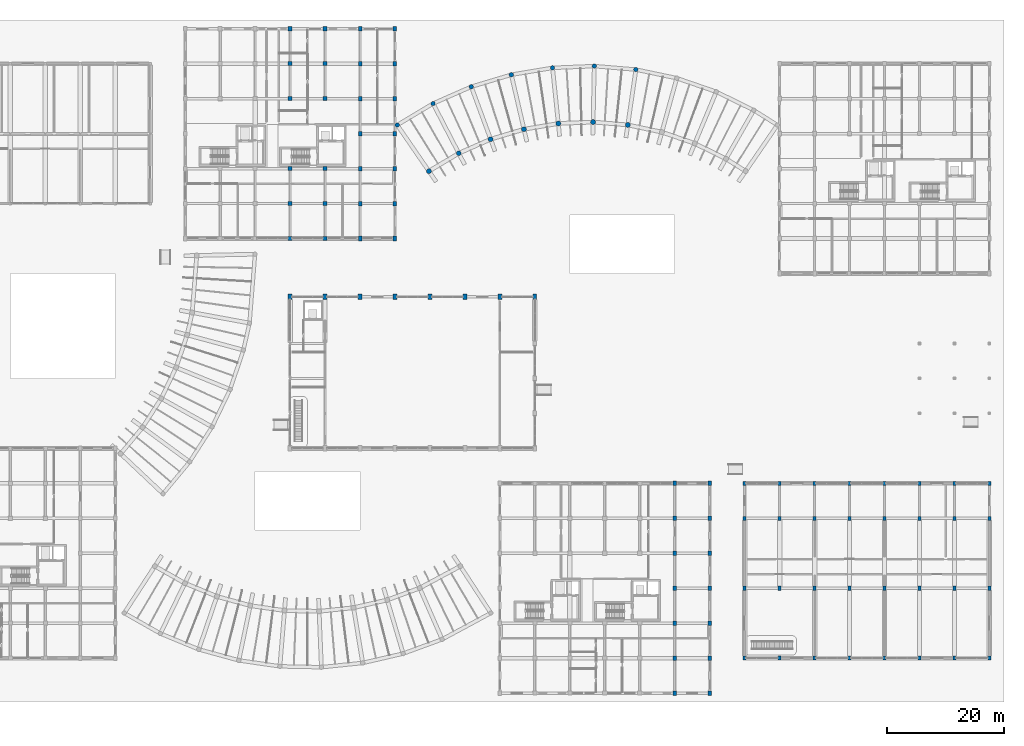
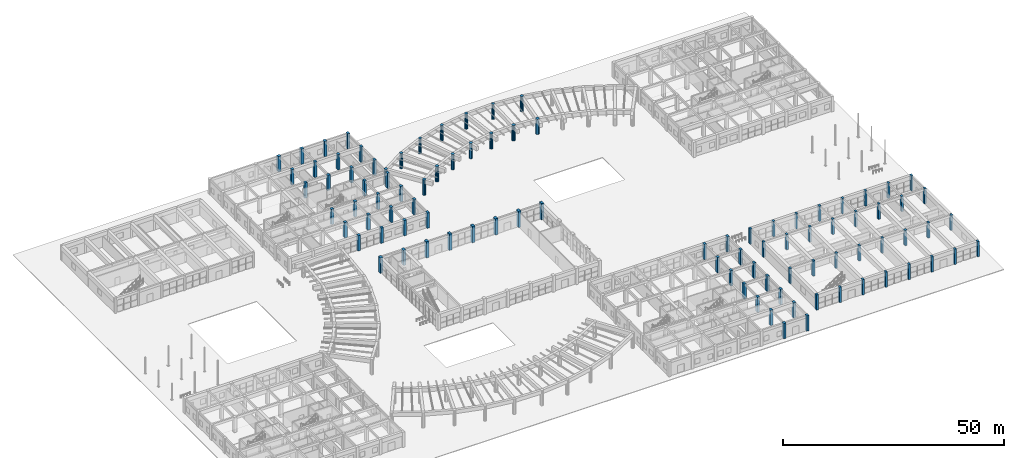
# One storey, part 8 of 76: 94 columns.
"""IFC4 building model written with IfcOpenShell, lengths in metres."""

from ifc_helpers import new_model, si_unit, direction, frame, origin, origin_2d, place, context, subcontext, project, spatial, rectangle, circle, extrude, material, material_profile, profile_set, type_object, element, save


model = new_model("IFC4")

# Units and contexts
model_context = context("Model", 3, precision=1e-05, world=origin(), true_north=direction((0.0, 1.0)))
body_context = subcontext(model_context, "Body", "Model", "MODEL_VIEW")
ifc_project = project(units=[si_unit("LENGTHUNIT", "METRE"), si_unit("AREAUNIT", "SQUARE_METRE"), si_unit("VOLUMEUNIT", "CUBIC_METRE"), si_unit("PLANEANGLEUNIT", "RADIAN"), si_unit("MASSUNIT", "GRAM", prefix="KILO"), si_unit("POWERUNIT", "WATT"), si_unit("THERMODYNAMICTEMPERATUREUNIT", "KELVIN")], contexts=[model_context])

# Site, building, storey
site_placement = place(None, origin())
site = spatial("IfcSite", under=ifc_project, at=site_placement, CompositionType="ELEMENT")
building_placement = place(site_placement, origin())
building = spatial("IfcBuilding", under=site, at=building_placement, Name="Ruvembo Vaulted Housing Court", CompositionType="ELEMENT")
storey_placement = place(building_placement, origin())
storey = spatial("IfcBuildingStorey", under=building, at=storey_placement, Name="L00", CompositionType="ELEMENT", Elevation=0.0)

# Columns
ifc_material_1 = material(Name="Concrete C35/45", Category="concrete")
ifc_material_profile_1 = material_profile(ifc_material_1, rectangle(XDim=0.5, YDim=0.699951171875, at=origin_2d()), Name="RC 500x700")
ifc_profile_set_1 = profile_set([ifc_material_profile_1], Name="Concrete C35/45")
column_type_1 = type_object("IfcColumnType", Name="COL-RC-500x700", PredefinedType="COLUMN", material=ifc_profile_set_1)
for number, where, z_axis, x_axis, name in (
    (1, (144.0, 6.0, 0.0), (0.0, 0.0, 1.0), (1.0, 0.0, 0.0), "L00 Column (144,6)"),
    (2, (144.0, 18.0, 0.0), (0.0, 0.0, 1.0), (1.0, 0.0, 0.0), "L00 Column (144,18)"),
    (3, (144.0, 30.0, 0.0), (0.0, 0.0, 1.0), (1.0, 0.0, 0.0), "L00 Column (144,30)"),
    (4, (144.0, 36.0, 0.0), (0.0, 0.0, 1.0), (1.0, 0.0, 0.0), "L00 Column (144,36)"),
    (5, (150.0, 6.0, 0.0), (0.0, 0.0, 1.0), (1.0, 0.0, 0.0), "L00 Column (150,6)"),
    (6, (150.0, 18.0, 0.0), (0.0, 0.0, 1.0), (1.0, 0.0, 0.0), "L00 Column (150,18)"),
    (7, (150.0, 30.0, 0.0), (0.0, 0.0, 1.0), (1.0, 0.0, 0.0), "L00 Column (150,30)"),
    (8, (150.0, 36.0, 0.0), (0.0, 0.0, 1.0), (1.0, 0.0, 0.0), "L00 Column (150,36)"),
    (9, (156.0, 6.0, 0.0), (0.0, 0.0, 1.0), (1.0, 0.0, 0.0), "L00 Column (156,6)"),
    (10, (156.0, 18.0, 0.0), (0.0, 0.0, 1.0), (1.0, 0.0, 0.0), "L00 Column (156,18)"),
    (11, (156.0, 30.0, 0.0), (0.0, 0.0, 1.0), (1.0, 0.0, 0.0), "L00 Column (156,30)"),
    (12, (156.0, 36.0, 0.0), (0.0, 0.0, 1.0), (1.0, 0.0, 0.0), "L00 Column (156,36)"),
    (13, (162.0, 6.0, 0.0), (0.0, 0.0, 1.0), (1.0, 0.0, 0.0), "L00 Column (162,6)"),
    (14, (162.0, 18.0, 0.0), (0.0, 0.0, 1.0), (1.0, 0.0, 0.0), "L00 Column (162,18)"),
    (15, (162.0, 30.0, 0.0), (0.0, 0.0, 1.0), (1.0, 0.0, 0.0), "L00 Column (162,30)"),
    (16, (162.0, 36.0, 0.0), (0.0, 0.0, 1.0), (1.0, 0.0, 0.0), "L00 Column (162,36)"),
    (17, (168.0, 6.0, 0.0), (0.0, 0.0, 1.0), (1.0, 0.0, 0.0), "L00 Column (168,6)"),
    (18, (168.0, 18.0, 0.0), (0.0, 0.0, 1.0), (1.0, 0.0, 0.0), "L00 Column (168,18)"),
    (19, (168.0, 30.0, 0.0), (0.0, 0.0, 1.0), (1.0, 0.0, 0.0), "L00 Column (168,30)"),
    (20, (168.0, 36.0, 0.0), (0.0, 0.0, 1.0), (1.0, 0.0, 0.0), "L00 Column (168,36)"),
    (21, (174.0, 6.0, 0.0), (0.0, 0.0, 1.0), (1.0, 0.0, 0.0), "L00 Column (174,6)"),
    (22, (174.0, 18.0, 0.0), (0.0, 0.0, 1.0), (1.0, 0.0, 0.0), "L00 Column (174,18)"),
    (23, (174.0, 30.0, 0.0), (0.0, 0.0, 1.0), (1.0, 0.0, 0.0), "L00 Column (174,30)"),
    (24, (174.0, 36.0, 0.0), (0.0, 0.0, 1.0), (1.0, 0.0, 0.0), "L00 Column (174,36)"),
    (25, (180.0, 6.0, 0.0), (0.0, 0.0, 1.0), (1.0, 0.0, 0.0), "L00 Column (180,6)"),
    (26, (180.0, 18.0, 0.0), (0.0, 0.0, 1.0), (1.0, 0.0, 0.0), "L00 Column (180,18)"),
    (27, (180.0, 30.0, 0.0), (0.0, 0.0, 1.0), (1.0, 0.0, 0.0), "L00 Column (180,30)"),
    (28, (180.0, 36.0, 0.0), (0.0, 0.0, 1.0), (1.0, 0.0, 0.0), "L00 Column (180,36)"),
    (29, (186.0, 6.0, 0.0), (0.0, 0.0, 1.0), (1.0, 0.0, 0.0), "L00 Column (186,6)"),
    (30, (186.0, 18.0, 0.0), (0.0, 0.0, 1.0), (1.0, 0.0, 0.0), "L00 Column (186,18)"),
    (31, (186.0, 30.0, 0.0), (0.0, 0.0, 1.0), (1.0, 0.0, 0.0), "L00 Column (186,30)"),
    (32, (186.0, 36.0, 0.0), (0.0, 0.0, 1.0), (1.0, 0.0, 0.0), "L00 Column (186,36)"),
):
    element("IfcColumn", number, at=place(storey_placement, frame(where, z_axis=z_axis, x_axis=x_axis)), inside=storey, type_object=column_type_1, Name=name, PredefinedType="COLUMN", context=body_context, shape_type="SweptSolid", body=[
        extrude(rectangle(XDim=0.5, YDim=0.699951171875, at=origin_2d()), origin(), (0.0, 0.0, 1.0), 4.22998046875),
    ])
ifc_material_2 = material(Name="Concrete C40/50", Category="concrete")
ifc_material_profile_2 = material_profile(ifc_material_2, rectangle(XDim=0.60009765625, YDim=0.800048828125, at=origin_2d()), Name="RC 600x800")
ifc_profile_set_2 = profile_set([ifc_material_profile_2], Name="Concrete C40/50")
column_type_2 = type_object("IfcColumnType", Name="COL-RC-600x800", PredefinedType="COLUMN", material=ifc_profile_set_2)
for number, where, z_axis, x_axis, name in (
    (33, (78.0, 78.0, 0.0), (0.0, 0.0, 1.0), (1.0, 0.0, 0.0), "L00 Column (78,78)"),
    (34, (78.0, 84.0, 0.0), (0.0, 0.0, 1.0), (1.0, 0.0, 0.0), "L00 Column (78,84)"),
    (35, (78.0, 90.0, 0.0), (0.0, 0.0, 1.0), (1.0, 0.0, 0.0), "L00 Column (78,90)"),
    (36, (78.0, 96.0, 0.0), (0.0, 0.0, 1.0), (1.0, 0.0, 0.0), "L00 Column (78,96)"),
    (37, (78.0, 102.0, 0.0), (0.0, 0.0, 1.0), (1.0, 0.0, 0.0), "L00 Column (78,102)"),
    (38, (78.0, 108.0, 0.0), (0.0, 0.0, 1.0), (1.0, 0.0, 0.0), "L00 Column (78,108)"),
    (39, (78.0, 114.0, 0.0), (0.0, 0.0, 1.0), (1.0, 0.0, 0.0), "L00 Column (78,114)"),
    (40, (84.0, 78.0, 0.0), (0.0, 0.0, 1.0), (1.0, 0.0, 0.0), "L00 Column (84,78)"),
    (41, (84.0, 84.0, 0.0), (0.0, 0.0, 1.0), (1.0, 0.0, 0.0), "L00 Column (84,84)"),
    (42, (84.0, 90.0, 0.0), (0.0, 0.0, 1.0), (1.0, 0.0, 0.0), "L00 Column (84,90)"),
    (43, (84.0, 96.0, 0.0), (0.0, 0.0, 1.0), (1.0, 0.0, 0.0), "L00 Column (84,96)"),
    (44, (84.0, 102.0, 0.0), (0.0, 0.0, 1.0), (1.0, 0.0, 0.0), "L00 Column (84,102)"),
    (45, (84.0, 108.0, 0.0), (0.0, 0.0, 1.0), (1.0, 0.0, 0.0), "L00 Column (84,108)"),
    (46, (84.0, 114.0, 0.0), (0.0, 0.0, 1.0), (1.0, 0.0, 0.0), "L00 Column (84,114)"),
    (47, (132.0, 0.0, 0.0), (0.0, 0.0, 1.0), (1.0, 0.0, 0.0), "L00 Column (132,0)"),
    (48, (132.0, 6.0, 0.0), (0.0, 0.0, 1.0), (1.0, 0.0, 0.0), "L00 Column (132,6)"),
    (49, (132.0, 12.0, 0.0), (0.0, 0.0, 1.0), (1.0, 0.0, 0.0), "L00 Column (132,12)"),
    (50, (132.0, 18.0, 0.0), (0.0, 0.0, 1.0), (1.0, 0.0, 0.0), "L00 Column (132,18)"),
    (51, (132.0, 24.0, 0.0), (0.0, 0.0, 1.0), (1.0, 0.0, 0.0), "L00 Column (132,24)"),
    (52, (132.0, 30.0, 0.0), (0.0, 0.0, 1.0), (1.0, 0.0, 0.0), "L00 Column (132,30)"),
    (53, (132.0, 36.0, 0.0), (0.0, 0.0, 1.0), (1.0, 0.0, 0.0), "L00 Column (132,36)"),
    (54, (138.0, 0.0, 0.0), (0.0, 0.0, 1.0), (1.0, 0.0, 0.0), "L00 Column (138,0)"),
    (55, (138.0, 6.0, 0.0), (0.0, 0.0, 1.0), (1.0, 0.0, 0.0), "L00 Column (138,6)"),
    (56, (138.0, 12.0, 0.0), (0.0, 0.0, 1.0), (1.0, 0.0, 0.0), "L00 Column (138,12)"),
    (57, (138.0, 18.0, 0.0), (0.0, 0.0, 1.0), (1.0, 0.0, 0.0), "L00 Column (138,18)"),
    (58, (138.0, 24.0, 0.0), (0.0, 0.0, 1.0), (1.0, 0.0, 0.0), "L00 Column (138,24)"),
    (59, (138.0, 30.0, 0.0), (0.0, 0.0, 1.0), (1.0, 0.0, 0.0), "L00 Column (138,30)"),
    (60, (138.0, 36.0, 0.0), (0.0, 0.0, 1.0), (1.0, 0.0, 0.0), "L00 Column (138,36)"),
):
    element("IfcColumn", number, at=place(storey_placement, frame(where, z_axis=z_axis, x_axis=x_axis)), inside=storey, type_object=column_type_2, Name=name, PredefinedType="COLUMN", context=body_context, shape_type="SweptSolid", body=[
        extrude(rectangle(XDim=0.60009765625, YDim=0.800048828125, at=origin_2d()), origin(), (0.0, 0.0, 1.0), 4.22998046875),
    ])
ifc_material_profile_3 = material_profile(ifc_material_2, rectangle(XDim=0.64990234375, YDim=0.89990234375, at=origin_2d()), Name="RC 650x900")
ifc_profile_set_3 = profile_set([ifc_material_profile_3], Name="Concrete C40/50")
column_type_3 = type_object("IfcColumnType", Name="COL-RC-650x900", PredefinedType="COLUMN", material=ifc_profile_set_3)
for number, where, z_axis, x_axis, name in (
    (61, (66.0, 68.0, 0.0), (0.0, 0.0, 1.0), (1.0, 0.0, 0.0), "L00 Column (66,68)"),
    (62, (72.0, 68.0, 0.0), (0.0, 0.0, 1.0), (1.0, 0.0, 0.0), "L00 Column (72,68)"),
):
    element("IfcColumn", number, at=place(storey_placement, frame(where, z_axis=z_axis, x_axis=x_axis)), inside=storey, type_object=column_type_3, Name=name, PredefinedType="COLUMN", context=body_context, shape_type="SweptSolid", body=[
        extrude(rectangle(XDim=0.64990234375, YDim=0.89990234375, at=origin_2d()), origin(), (0.0, 0.0, 1.0), 4.22998046875),
    ])
for number, where, z_axis, x_axis, name in (
    (63, (78.0, 68.0, 0.0), (0.0, 0.0, 1.0), (1.0, 0.0, 0.0), "L00 Column (78,68)"),
    (64, (84.0, 68.0, 0.0), (0.0, 0.0, 1.0), (1.0, 0.0, 0.0), "L00 Column (84,68)"),
    (65, (90.0, 68.0, 0.0), (0.0, 0.0, 1.0), (1.0, 0.0, 0.0), "L00 Column (90,68)"),
    (66, (96.0, 68.0, 0.0), (0.0, 0.0, 1.0), (1.0, 0.0, 0.0), "L00 Column (96,68)"),
    (67, (102.0, 68.0, 0.0), (0.0, 0.0, 1.0), (1.0, 0.0, 0.0), "L00 Column (102,68)"),
    (68, (108.0, 68.0, 0.0), (0.0, 0.0, 1.0), (1.0, 0.0, 0.0), "L00 Column (108,68)"),
):
    element("IfcColumn", number, at=place(storey_placement, frame(where, z_axis=z_axis, x_axis=x_axis)), inside=storey, type_object=column_type_3, Name=name, PredefinedType="COLUMN", context=body_context, shape_type="SweptSolid", body=[
        extrude(rectangle(XDim=0.64990234375, YDim=0.89990234375, at=origin_2d()), origin(), (0.0, 0.0, 1.0), 4.5),
    ])
ifc_material_profile_4 = material_profile(ifc_material_2, rectangle(XDim=0.699951171875, YDim=0.699951171875, at=origin_2d()), Name="RC 700x700")
ifc_profile_set_4 = profile_set([ifc_material_profile_4], Name="Concrete C40/50")
column_type_4 = type_object("IfcColumnType", Name="COL-RC-700", PredefinedType="COLUMN", material=ifc_profile_set_4)
for number, where, z_axis, x_axis, name in (
    (69, (66.0, 78.0, 0.0), (0.0, 0.0, 1.0), (1.0, 0.0, 0.0), "L00 Column (66,78)"),
    (70, (66.0, 84.0, 0.0), (0.0, 0.0, 1.0), (1.0, 0.0, 0.0), "L00 Column (66,84)"),
    (71, (66.0, 90.0, 0.0), (0.0, 0.0, 1.0), (1.0, 0.0, 0.0), "L00 Column (66,90)"),
    (72, (66.0, 102.0, 0.0), (0.0, 0.0, 1.0), (1.0, 0.0, 0.0), "L00 Column (66,102)"),
    (73, (66.0, 108.0, 0.0), (0.0, 0.0, 1.0), (1.0, 0.0, 0.0), "L00 Column (66,108)"),
    (74, (66.0, 114.0, 0.0), (0.0, 0.0, 1.0), (1.0, 0.0, 0.0), "L00 Column (66,114)"),
    (75, (72.0, 78.0, 0.0), (0.0, 0.0, 1.0), (1.0, 0.0, 0.0), "L00 Column (72,78)"),
    (76, (72.0, 84.0, 0.0), (0.0, 0.0, 1.0), (1.0, 0.0, 0.0), "L00 Column (72,84)"),
    (77, (72.0, 90.0, 0.0), (0.0, 0.0, 1.0), (1.0, 0.0, 0.0), "L00 Column (72,90)"),
    (78, (72.0, 102.0, 0.0), (0.0, 0.0, 1.0), (1.0, 0.0, 0.0), "L00 Column (72,102)"),
    (79, (72.0, 108.0, 0.0), (0.0, 0.0, 1.0), (1.0, 0.0, 0.0), "L00 Column (72,108)"),
    (80, (72.0, 114.0, 0.0), (0.0, 0.0, 1.0), (1.0, 0.0, 0.0), "L00 Column (72,114)"),
):
    element("IfcColumn", number, at=place(storey_placement, frame(where, z_axis=z_axis, x_axis=x_axis)), inside=storey, type_object=column_type_4, Name=name, PredefinedType="COLUMN", context=body_context, shape_type="SweptSolid", body=[
        extrude(rectangle(XDim=0.699951171875, YDim=0.699951171875, at=origin_2d()), origin(), (0.0, 0.0, 1.0), 4.22998046875),
    ])
ifc_material_profile_5 = material_profile(ifc_material_2, circle(Radius=0.375, at=origin_2d()), Name="RC D750")
ifc_profile_set_5 = profile_set([ifc_material_profile_5], Name="Concrete C40/50")
column_type_5 = type_object("IfcColumnType", Name="PILOTIS-D750", PredefinedType="COLUMN", material=ifc_profile_set_5)
for number, where, z_axis, x_axis, name in (
    (81, (84.38623046875, 97.477294921875, 0.0), (0.0, 0.0, 1.0), (1.0, 0.0, 0.0), "L00 Scooped Pier CP-SC3-B01"),
    (82, (90.535888671875, 101.16064453125, 0.0), (0.0, 0.0, 1.0), (1.0, 0.0, 0.0), "L00 Scooped Pier CP-SC3-B02"),
    (83, (97.095458984375, 104.051513671875, 0.0), (0.0, 0.0, 1.0), (1.0, 0.0, 0.0), "L00 Scooped Pier CP-SC3-B03"),
    (84, (103.96337890625, 106.105224609375, 0.0), (0.0, 0.0, 1.0), (1.0, 0.0, 0.0), "L00 Scooped Pier CP-SC3-B04"),
    (85, (111.033203125, 107.2900390625, 0.0), (0.0, 0.0, 1.0), (1.0, 0.0, 0.0), "L00 Scooped Pier CP-SC3-B05"),
    (86, (118.1953125, 107.587646484375, 0.0), (0.0, 0.0, 1.0), (1.0, 0.0, 0.0), "L00 Scooped Pier CP-SC3-B06"),
    (87, (125.339111328125, 106.9931640625, 0.0), (0.0, 0.0, 1.0), (1.0, 0.0, 0.0), "L00 Scooped Pier CP-SC3-B07"),
):
    element("IfcColumn", number, at=place(storey_placement, frame(where, z_axis=z_axis, x_axis=x_axis)), inside=storey, type_object=column_type_5, Name=name, PredefinedType="COLUMN", context=body_context, shape_type="SweptSolid", body=[
        extrude(circle(Radius=0.375, at=origin_2d()), origin(), (0.0, 0.0, 1.0), 4.248046875),
    ])
ifc_material_profile_6 = material_profile(ifc_material_2, circle(Radius=0.425048828125, at=origin_2d()), Name="RC D850")
ifc_profile_set_6 = profile_set([ifc_material_profile_6], Name="Concrete C40/50")
column_type_6 = type_object("IfcColumnType", Name="PILOTIS-D850", PredefinedType="COLUMN", material=ifc_profile_set_6)
for number, where, z_axis, x_axis, name in (
    (88, (89.82177734375, 89.564453125, 0.0), (0.0, 0.0, 1.0), (1.0, 0.0, 0.0), "L00 Scooped Pier CP-SC3-F01"),
    (89, (94.946533203125, 92.6337890625, 0.0), (0.0, 0.0, 1.0), (1.0, 0.0, 0.0), "L00 Scooped Pier CP-SC3-F02"),
    (90, (100.412841796875, 95.04296875, 0.0), (0.0, 0.0, 1.0), (1.0, 0.0, 0.0), "L00 Scooped Pier CP-SC3-F03"),
    (91, (106.13623046875, 96.75439453125, 0.0), (0.0, 0.0, 1.0), (1.0, 0.0, 0.0), "L00 Scooped Pier CP-SC3-F04"),
    (92, (112.027587890625, 97.74169921875, 0.0), (0.0, 0.0, 1.0), (1.0, 0.0, 0.0), "L00 Scooped Pier CP-SC3-F05"),
    (93, (117.99609375, 97.98974609375, 0.0), (0.0, 0.0, 1.0), (1.0, 0.0, 0.0), "L00 Scooped Pier CP-SC3-F06"),
    (94, (123.94921875, 97.494384765625, 0.0), (0.0, 0.0, 1.0), (1.0, 0.0, 0.0), "L00 Scooped Pier CP-SC3-F07"),
):
    element("IfcColumn", number, at=place(storey_placement, frame(where, z_axis=z_axis, x_axis=x_axis)), inside=storey, type_object=column_type_6, Name=name, PredefinedType="COLUMN", context=body_context, shape_type="SweptSolid", body=[
        extrude(circle(Radius=0.425048828125, at=origin_2d()), origin(), (0.0, 0.0, 1.0), 4.248046875),
    ])

save(model, "model.ifc")
